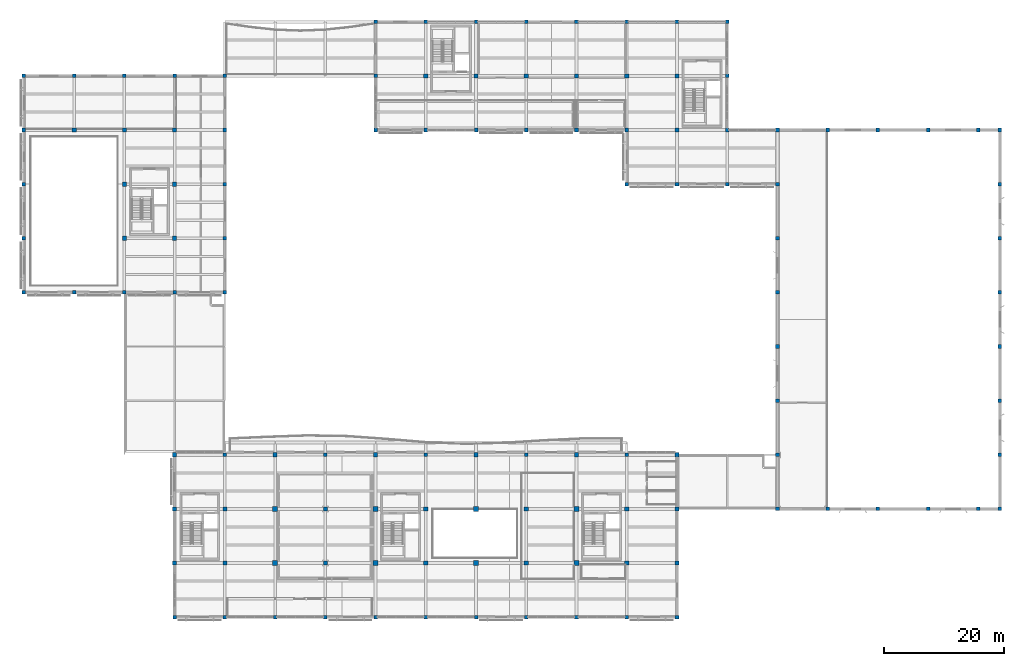
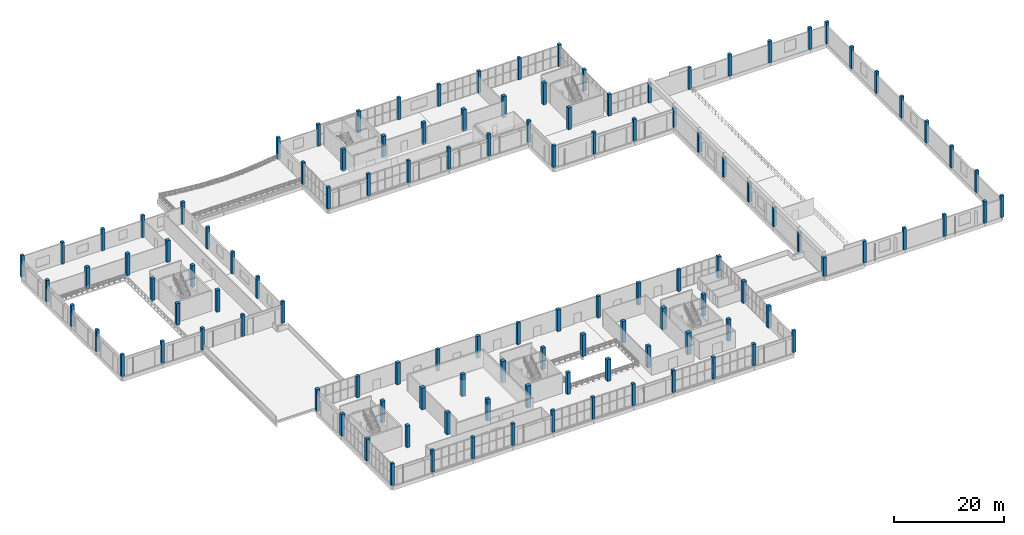
# One storey, part 1 of 80: 118 columns.
"""IFC4 building model written with IfcOpenShell, lengths in metres."""

from ifc_helpers import new_model, si_unit, direction, frame, origin, origin_2d, place, context, subcontext, project, spatial, rectangle, extrude, material, material_profile, profile_set, type_object, element, save


model = new_model("IFC4")

# Units and contexts
model_context = context("Model", 3, precision=1e-05, world=origin(), true_north=direction((0.0, 1.0)))
body_context = subcontext(model_context, "Body", "Model", "MODEL_VIEW")
ifc_project = project(units=[si_unit("LENGTHUNIT", "METRE"), si_unit("AREAUNIT", "SQUARE_METRE"), si_unit("VOLUMEUNIT", "CUBIC_METRE"), si_unit("PLANEANGLEUNIT", "RADIAN"), si_unit("MASSUNIT", "GRAM", prefix="KILO")], contexts=[model_context])

# Site, building, storey
site_placement = place(None, origin())
site = spatial("IfcSite", under=ifc_project, at=site_placement, CompositionType="ELEMENT")
building_placement = place(site_placement, origin())
building = spatial("IfcBuilding", under=site, at=building_placement, Name="Khurvash Pelagic Aquarium", CompositionType="ELEMENT")
storey_placement = place(building_placement, frame((0.0, 0.0, 10.800048828125)))
storey = spatial("IfcBuildingStorey", under=building, at=storey_placement, Name="L02", CompositionType="ELEMENT", Elevation=10.800048828125)

# Columns
ifc_material = material(Name="Concrete C40/50", Category="concrete")
ifc_material_profile_1 = material_profile(ifc_material, rectangle(XDim=0.800048828125, YDim=0.800048828125, at=origin_2d()), Name="RC800X800")
ifc_profile_set_1 = profile_set([ifc_material_profile_1], Name="Concrete C40/50")
column_type_1 = type_object("IfcColumnType", Name="C-02", PredefinedType="COLUMN", material=ifc_profile_set_1)
for number, where, z_axis, x_axis, name in (
    (1, (42.0, 11.64990234375, 0.0), (0.0, 0.0, 1.0), (1.0, 0.0, 0.0), "L02 Column C-02 at 6/C"),
    (2, (42.0, 20.699951171875, 0.0), (0.0, 0.0, 1.0), (1.0, 0.0, 0.0), "L02 Column C-02 at 6/D"),
    (3, (58.800048828125, 11.64990234375, 0.0), (0.0, 0.0, 1.0), (1.0, 0.0, 0.0), "L02 Column C-02 at 8/C"),
    (4, (58.800048828125, 20.699951171875, 0.0), (0.0, 0.0, 1.0), (1.0, 0.0, 0.0), "L02 Column C-02 at 8/D"),
    (5, (75.60009765625, 11.64990234375, 0.0), (0.0, 0.0, 1.0), (1.0, 0.0, 0.0), "L02 Column C-02 at 10/C"),
    (6, (75.60009765625, 20.699951171875, 0.0), (0.0, 0.0, 1.0), (1.0, 0.0, 0.0), "L02 Column C-02 at 10/D"),
    (7, (92.39990234375, 11.64990234375, 0.0), (0.0, 0.0, 1.0), (1.0, 0.0, 0.0), "L02 Column C-02 at 12/C"),
    (8, (92.39990234375, 20.699951171875, 0.0), (0.0, 0.0, 1.0), (1.0, 0.0, 0.0), "L02 Column C-02 at 12/D"),
):
    element("IfcColumn", number, at=place(storey_placement, frame(where, z_axis=z_axis, x_axis=x_axis)), inside=storey, type_object=column_type_1, Name=name, PredefinedType="COLUMN", context=body_context, shape_type="SweptSolid", body=[
        extrude(rectangle(XDim=0.800048828125, YDim=0.800048828125, at=origin_2d()), origin(), (0.0, 0.0, 1.0), 4.800048828125),
    ])
ifc_material_profile_2 = material_profile(ifc_material, rectangle(XDim=0.699951171875, YDim=0.699951171875, at=origin_2d()), Name="RC700X700")
ifc_profile_set_2 = profile_set([ifc_material_profile_2], Name="Concrete C40/50")
column_type_2 = type_object("IfcColumnType", Name="C-03", PredefinedType="COLUMN", material=ifc_profile_set_2)
for number, where, z_axis, x_axis, name in (
    (9, (8.39990234375, 84.050048828125, 0.0), (0.0, 0.0, 1.0), (1.0, 0.0, 0.0), "L02 Column C-03 at 2/L"),
    (10, (16.800048828125, 65.949951171875, 0.0), (0.0, 0.0, 1.0), (1.0, 0.0, 0.0), "L02 Column C-03 at 3/J"),
    (11, (16.800048828125, 75.0, 0.0), (0.0, 0.0, 1.0), (1.0, 0.0, 0.0), "L02 Column C-03 at 3/K"),
    (12, (16.800048828125, 84.050048828125, 0.0), (0.0, 0.0, 1.0), (1.0, 0.0, 0.0), "L02 Column C-03 at 3/L"),
    (13, (25.199951171875, 65.949951171875, 0.0), (0.0, 0.0, 1.0), (1.0, 0.0, 0.0), "L02 Column C-03 at 4/J"),
    (14, (25.199951171875, 75.0, 0.0), (0.0, 0.0, 1.0), (1.0, 0.0, 0.0), "L02 Column C-03 at 4/K"),
    (15, (25.199951171875, 84.050048828125, 0.0), (0.0, 0.0, 1.0), (1.0, 0.0, 0.0), "L02 Column C-03 at 4/L"),
    (16, (33.60009765625, 11.64990234375, 0.0), (0.0, 0.0, 1.0), (1.0, 0.0, 0.0), "L02 Column C-03 at 5/C"),
    (17, (33.60009765625, 20.699951171875, 0.0), (0.0, 0.0, 1.0), (1.0, 0.0, 0.0), "L02 Column C-03 at 5/D"),
    (18, (50.39990234375, 11.64990234375, 0.0), (0.0, 0.0, 1.0), (1.0, 0.0, 0.0), "L02 Column C-03 at 7/C"),
    (19, (50.39990234375, 20.699951171875, 0.0), (0.0, 0.0, 1.0), (1.0, 0.0, 0.0), "L02 Column C-03 at 7/D"),
    (20, (67.199951171875, 11.64990234375, 0.0), (0.0, 0.0, 1.0), (1.0, 0.0, 0.0), "L02 Column C-03 at 9/C"),
    (21, (67.199951171875, 20.699951171875, 0.0), (0.0, 0.0, 1.0), (1.0, 0.0, 0.0), "L02 Column C-03 at 9/D"),
    (22, (67.199951171875, 93.10009765625, 0.0), (0.0, 0.0, 1.0), (1.0, 0.0, 0.0), "L02 Column C-03 at 9/M"),
    (23, (75.60009765625, 93.10009765625, 0.0), (0.0, 0.0, 1.0), (1.0, 0.0, 0.0), "L02 Column C-03 at 10/M"),
    (24, (84.0, 11.64990234375, 0.0), (0.0, 0.0, 1.0), (1.0, 0.0, 0.0), "L02 Column C-03 at 11/C"),
    (25, (84.0, 20.699951171875, 0.0), (0.0, 0.0, 1.0), (1.0, 0.0, 0.0), "L02 Column C-03 at 11/D"),
    (26, (84.0, 93.10009765625, 0.0), (0.0, 0.0, 1.0), (1.0, 0.0, 0.0), "L02 Column C-03 at 11/M"),
    (27, (92.39990234375, 93.10009765625, 0.0), (0.0, 0.0, 1.0), (1.0, 0.0, 0.0), "L02 Column C-03 at 12/M"),
    (28, (100.800048828125, 11.64990234375, 0.0), (0.0, 0.0, 1.0), (1.0, 0.0, 0.0), "L02 Column C-03 at 13/C"),
    (29, (100.800048828125, 20.699951171875, 0.0), (0.0, 0.0, 1.0), (1.0, 0.0, 0.0), "L02 Column C-03 at 13/D"),
    (30, (100.800048828125, 93.10009765625, 0.0), (0.0, 0.0, 1.0), (1.0, 0.0, 0.0), "L02 Column C-03 at 13/M"),
    (31, (109.199951171875, 84.050048828125, 0.0), (0.0, 0.0, 1.0), (1.0, 0.0, 0.0), "L02 Column C-03 at 14/L"),
    (32, (109.199951171875, 93.10009765625, 0.0), (0.0, 0.0, 1.0), (1.0, 0.0, 0.0), "L02 Column C-03 at 14/M"),
):
    element("IfcColumn", number, at=place(storey_placement, frame(where, z_axis=z_axis, x_axis=x_axis)), inside=storey, type_object=column_type_2, Name=name, PredefinedType="COLUMN", context=body_context, shape_type="SweptSolid", body=[
        extrude(rectangle(XDim=0.699951171875, YDim=0.699951171875, at=origin_2d()), origin(), (0.0, 0.0, 1.0), 4.800048828125),
    ])
ifc_material_profile_3 = material_profile(ifc_material, rectangle(XDim=0.699951171875, YDim=0.699951171875, at=origin_2d()), Name="RC700X700")
ifc_profile_set_3 = profile_set([ifc_material_profile_3], Name="Concrete C40/50")
column_type_3 = type_object("IfcColumnType", Name="C-07", PredefinedType="COLUMN", material=ifc_profile_set_3)
for number, where, z_axis, x_axis, name in (
    (33, (25.199951171875, 11.64990234375, 0.0), (0.0, 0.0, 1.0), (1.0, 0.0, 0.0), "L02 Column C-07 at 4/C"),
    (34, (25.199951171875, 20.699951171875, 0.0), (0.0, 0.0, 1.0), (1.0, 0.0, 0.0), "L02 Column C-07 at 4/D"),
    (35, (25.199951171875, 29.75, 0.0), (0.0, 0.0, 1.0), (1.0, 0.0, 0.0), "L02 Column C-07 at 4/E"),
    (36, (42.0, 29.75, 0.0), (0.0, 0.0, 1.0), (1.0, 0.0, 0.0), "L02 Column C-07 at 6/E"),
    (37, (58.800048828125, 29.75, 0.0), (0.0, 0.0, 1.0), (1.0, 0.0, 0.0), "L02 Column C-07 at 8/E"),
    (38, (75.60009765625, 29.75, 0.0), (0.0, 0.0, 1.0), (1.0, 0.0, 0.0), "L02 Column C-07 at 10/E"),
    (39, (92.39990234375, 29.75, 0.0), (0.0, 0.0, 1.0), (1.0, 0.0, 0.0), "L02 Column C-07 at 12/E"),
    (40, (109.199951171875, 11.64990234375, 0.0), (0.0, 0.0, 1.0), (1.0, 0.0, 0.0), "L02 Column C-07 at 14/C"),
    (41, (109.199951171875, 20.699951171875, 0.0), (0.0, 0.0, 1.0), (1.0, 0.0, 0.0), "L02 Column C-07 at 14/D"),
    (42, (109.199951171875, 29.75, 0.0), (0.0, 0.0, 1.0), (1.0, 0.0, 0.0), "L02 Column C-07 at 14/E"),
):
    element("IfcColumn", number, at=place(storey_placement, frame(where, z_axis=z_axis, x_axis=x_axis)), inside=storey, type_object=column_type_3, Name=name, PredefinedType="COLUMN", context=body_context, shape_type="SweptSolid", body=[
        extrude(rectangle(XDim=0.699951171875, YDim=0.699951171875, at=origin_2d()), origin(), (0.0, 0.0, 1.0), 4.800048828125),
    ])
ifc_material_profile_4 = material_profile(ifc_material, rectangle(XDim=0.60009765625, YDim=0.60009765625, at=origin_2d()), Name="RC600X600")
ifc_profile_set_4 = profile_set([ifc_material_profile_4], Name="Concrete C40/50")
column_type_4 = type_object("IfcColumnType", Name="C-08", PredefinedType="COLUMN", material=ifc_profile_set_4)
for number, where, z_axis, x_axis, name in (
    (43, (0.0, 56.89990234375, 0.0), (0.0, 0.0, 1.0), (1.0, 0.0, 0.0), "L02 Column C-08 at 1/H"),
    (44, (0.0, 65.949951171875, 0.0), (0.0, 0.0, 1.0), (1.0, 0.0, 0.0), "L02 Column C-08 at 1/J"),
    (45, (0.0, 75.0, 0.0), (0.0, 0.0, 1.0), (1.0, 0.0, 0.0), "L02 Column C-08 at 1/K"),
    (46, (0.0, 84.050048828125, 0.0), (0.0, 0.0, 1.0), (1.0, 0.0, 0.0), "L02 Column C-08 at 1/L"),
    (47, (0.0, 93.10009765625, 0.0), (0.0, 0.0, 1.0), (1.0, 0.0, 0.0), "L02 Column C-08 at 1/M"),
    (48, (8.39990234375, 56.89990234375, 0.0), (0.0, 0.0, 1.0), (1.0, 0.0, 0.0), "L02 Column C-08 at 2/H"),
    (49, (8.39990234375, 93.10009765625, 0.0), (0.0, 0.0, 1.0), (1.0, 0.0, 0.0), "L02 Column C-08 at 2/M"),
    (50, (16.800048828125, 56.89990234375, 0.0), (0.0, 0.0, 1.0), (1.0, 0.0, 0.0), "L02 Column C-08 at 3/H"),
    (51, (16.800048828125, 93.10009765625, 0.0), (0.0, 0.0, 1.0), (1.0, 0.0, 0.0), "L02 Column C-08 at 3/M"),
    (52, (25.199951171875, 2.60009765625, 0.0), (0.0, 0.0, 1.0), (1.0, 0.0, 0.0), "L02 Column C-08 at 4/B"),
    (53, (25.199951171875, 56.89990234375, 0.0), (0.0, 0.0, 1.0), (1.0, 0.0, 0.0), "L02 Column C-08 at 4/H"),
    (54, (25.199951171875, 93.10009765625, 0.0), (0.0, 0.0, 1.0), (1.0, 0.0, 0.0), "L02 Column C-08 at 4/M"),
    (55, (33.60009765625, 2.60009765625, 0.0), (0.0, 0.0, 1.0), (1.0, 0.0, 0.0), "L02 Column C-08 at 5/B"),
    (56, (33.60009765625, 29.75, 0.0), (0.0, 0.0, 1.0), (1.0, 0.0, 0.0), "L02 Column C-08 at 5/E"),
    (57, (33.60009765625, 56.89990234375, 0.0), (0.0, 0.0, 1.0), (1.0, 0.0, 0.0), "L02 Column C-08 at 5/H"),
    (58, (33.60009765625, 65.949951171875, 0.0), (0.0, 0.0, 1.0), (1.0, 0.0, 0.0), "L02 Column C-08 at 5/J"),
    (59, (33.60009765625, 75.0, 0.0), (0.0, 0.0, 1.0), (1.0, 0.0, 0.0), "L02 Column C-08 at 5/K"),
    (60, (33.60009765625, 84.050048828125, 0.0), (0.0, 0.0, 1.0), (1.0, 0.0, 0.0), "L02 Column C-08 at 5/L"),
    (61, (33.60009765625, 93.10009765625, 0.0), (0.0, 0.0, 1.0), (1.0, 0.0, 0.0), "L02 Column C-08 at 5/M"),
    (62, (42.0, 2.60009765625, 0.0), (0.0, 0.0, 1.0), (1.0, 0.0, 0.0), "L02 Column C-08 at 6/B"),
    (63, (50.39990234375, 2.60009765625, 0.0), (0.0, 0.0, 1.0), (1.0, 0.0, 0.0), "L02 Column C-08 at 7/B"),
    (64, (50.39990234375, 29.75, 0.0), (0.0, 0.0, 1.0), (1.0, 0.0, 0.0), "L02 Column C-08 at 7/E"),
    (65, (58.800048828125, 2.60009765625, 0.0), (0.0, 0.0, 1.0), (1.0, 0.0, 0.0), "L02 Column C-08 at 8/B"),
    (66, (58.800048828125, 84.050048828125, 0.0), (0.0, 0.0, 1.0), (1.0, 0.0, 0.0), "L02 Column C-08 at 8/L"),
    (67, (58.800048828125, 93.10009765625, 0.0), (0.0, 0.0, 1.0), (1.0, 0.0, 0.0), "L02 Column C-08 at 8/M"),
    (68, (58.800048828125, 102.14990234375, 0.0), (0.0, 0.0, 1.0), (1.0, 0.0, 0.0), "L02 Column C-08 at 8/N"),
    (69, (67.199951171875, 2.60009765625, 0.0), (0.0, 0.0, 1.0), (1.0, 0.0, 0.0), "L02 Column C-08 at 9/B"),
    (70, (67.199951171875, 29.75, 0.0), (0.0, 0.0, 1.0), (1.0, 0.0, 0.0), "L02 Column C-08 at 9/E"),
    (71, (67.199951171875, 84.050048828125, 0.0), (0.0, 0.0, 1.0), (1.0, 0.0, 0.0), "L02 Column C-08 at 9/L"),
    (72, (67.199951171875, 102.14990234375, 0.0), (0.0, 0.0, 1.0), (1.0, 0.0, 0.0), "L02 Column C-08 at 9/N"),
    (73, (75.60009765625, 2.60009765625, 0.0), (0.0, 0.0, 1.0), (1.0, 0.0, 0.0), "L02 Column C-08 at 10/B"),
    (74, (75.60009765625, 84.050048828125, 0.0), (0.0, 0.0, 1.0), (1.0, 0.0, 0.0), "L02 Column C-08 at 10/L"),
    (75, (75.60009765625, 102.14990234375, 0.0), (0.0, 0.0, 1.0), (1.0, 0.0, 0.0), "L02 Column C-08 at 10/N"),
    (76, (84.0, 2.60009765625, 0.0), (0.0, 0.0, 1.0), (1.0, 0.0, 0.0), "L02 Column C-08 at 11/B"),
    (77, (84.0, 29.75, 0.0), (0.0, 0.0, 1.0), (1.0, 0.0, 0.0), "L02 Column C-08 at 11/E"),
    (78, (84.0, 84.050048828125, 0.0), (0.0, 0.0, 1.0), (1.0, 0.0, 0.0), "L02 Column C-08 at 11/L"),
    (79, (84.0, 102.14990234375, 0.0), (0.0, 0.0, 1.0), (1.0, 0.0, 0.0), "L02 Column C-08 at 11/N"),
    (80, (92.39990234375, 2.60009765625, 0.0), (0.0, 0.0, 1.0), (1.0, 0.0, 0.0), "L02 Column C-08 at 12/B"),
    (81, (92.39990234375, 84.050048828125, 0.0), (0.0, 0.0, 1.0), (1.0, 0.0, 0.0), "L02 Column C-08 at 12/L"),
    (82, (92.39990234375, 102.14990234375, 0.0), (0.0, 0.0, 1.0), (1.0, 0.0, 0.0), "L02 Column C-08 at 12/N"),
    (83, (100.800048828125, 2.60009765625, 0.0), (0.0, 0.0, 1.0), (1.0, 0.0, 0.0), "L02 Column C-08 at 13/B"),
    (84, (100.800048828125, 29.75, 0.0), (0.0, 0.0, 1.0), (1.0, 0.0, 0.0), "L02 Column C-08 at 13/E"),
    (85, (100.800048828125, 75.0, 0.0), (0.0, 0.0, 1.0), (1.0, 0.0, 0.0), "L02 Column C-08 at 13/K"),
    (86, (100.800048828125, 84.050048828125, 0.0), (0.0, 0.0, 1.0), (1.0, 0.0, 0.0), "L02 Column C-08 at 13/L"),
    (87, (100.800048828125, 102.14990234375, 0.0), (0.0, 0.0, 1.0), (1.0, 0.0, 0.0), "L02 Column C-08 at 13/N"),
    (88, (109.199951171875, 2.60009765625, 0.0), (0.0, 0.0, 1.0), (1.0, 0.0, 0.0), "L02 Column C-08 at 14/B"),
    (89, (109.199951171875, 75.0, 0.0), (0.0, 0.0, 1.0), (1.0, 0.0, 0.0), "L02 Column C-08 at 14/K"),
    (90, (109.199951171875, 102.14990234375, 0.0), (0.0, 0.0, 1.0), (1.0, 0.0, 0.0), "L02 Column C-08 at 14/N"),
    (91, (117.60009765625, 75.0, 0.0), (0.0, 0.0, 1.0), (1.0, 0.0, 0.0), "L02 Column C-08 at 15/K"),
    (92, (117.60009765625, 84.050048828125, 0.0), (0.0, 0.0, 1.0), (1.0, 0.0, 0.0), "L02 Column C-08 at 15/L"),
    (93, (117.60009765625, 93.10009765625, 0.0), (0.0, 0.0, 1.0), (1.0, 0.0, 0.0), "L02 Column C-08 at 15/M"),
    (94, (117.60009765625, 102.14990234375, 0.0), (0.0, 0.0, 1.0), (1.0, 0.0, 0.0), "L02 Column C-08 at 15/N"),
):
    element("IfcColumn", number, at=place(storey_placement, frame(where, z_axis=z_axis, x_axis=x_axis)), inside=storey, type_object=column_type_4, Name=name, PredefinedType="COLUMN", context=body_context, shape_type="SweptSolid", body=[
        extrude(rectangle(XDim=0.60009765625, YDim=0.60009765625, at=origin_2d()), origin(), (0.0, 0.0, 1.0), 4.800048828125),
    ])
for number, where, z_axis, x_axis, name in (
    (95, (126.0, 20.699951171875, 0.0), (0.0, 0.0, 1.0), (1.0, 0.0, 0.0), "L02 Column C-08 at 16/D"),
    (96, (126.0, 29.75, 0.0), (0.0, 0.0, 1.0), (1.0, 0.0, 0.0), "L02 Column C-08 at 16/E"),
    (97, (126.0, 38.800048828125, 0.0), (0.0, 0.0, 1.0), (1.0, 0.0, 0.0), "L02 Column C-08 at 16/F"),
    (98, (126.0, 47.85009765625, 0.0), (0.0, 0.0, 1.0), (1.0, 0.0, 0.0), "L02 Column C-08 at 16/G"),
    (99, (126.0, 56.89990234375, 0.0), (0.0, 0.0, 1.0), (1.0, 0.0, 0.0), "L02 Column C-08 at 16/H"),
    (100, (126.0, 65.949951171875, 0.0), (0.0, 0.0, 1.0), (1.0, 0.0, 0.0), "L02 Column C-08 at 16/J"),
    (101, (126.0, 75.0, 0.0), (0.0, 0.0, 1.0), (1.0, 0.0, 0.0), "L02 Column C-08 at 16/K"),
    (102, (126.0, 84.050048828125, 0.0), (0.0, 0.0, 1.0), (1.0, 0.0, 0.0), "L02 Column C-08 at 16/L"),
):
    element("IfcColumn", number, at=place(storey_placement, frame(where, z_axis=z_axis, x_axis=x_axis)), inside=storey, type_object=column_type_4, Name=name, PredefinedType="COLUMN", context=body_context, shape_type="SweptSolid", body=[
        extrude(rectangle(XDim=0.60009765625, YDim=0.60009765625, at=origin_2d()), origin(), (0.0, 0.0, 1.0), 4.199951171875),
    ])
for number, where, z_axis, x_axis, name in (
    (103, (134.39990234375, 20.699951171875, 0.0), (0.0, 0.0, 1.0), (1.0, 0.0, 0.0), "L02 Column C-08 at 17/D"),
    (104, (134.39990234375, 84.050048828125, 0.0), (0.0, 0.0, 1.0), (1.0, 0.0, 0.0), "L02 Column C-08 at 17/L"),
    (105, (142.800048828125, 20.699951171875, 0.0), (0.0, 0.0, 1.0), (1.0, 0.0, 0.0), "L02 Column C-08 at 18/D"),
    (106, (142.800048828125, 84.050048828125, 0.0), (0.0, 0.0, 1.0), (1.0, 0.0, 0.0), "L02 Column C-08 at 18/L"),
    (107, (151.199951171875, 20.699951171875, 0.0), (0.0, 0.0, 1.0), (1.0, 0.0, 0.0), "L02 Column C-08 at 19/D"),
    (108, (151.199951171875, 84.050048828125, 0.0), (0.0, 0.0, 1.0), (1.0, 0.0, 0.0), "L02 Column C-08 at 19/L"),
    (109, (159.60009765625, 20.699951171875, 0.0), (0.0, 0.0, 1.0), (1.0, 0.0, 0.0), "L02 Column C-08 at 20/D"),
    (110, (159.60009765625, 84.050048828125, 0.0), (0.0, 0.0, 1.0), (1.0, 0.0, 0.0), "L02 Column C-08 at 20/L"),
    (111, (163.199951171875, 20.699951171875, 0.0), (0.0, 0.0, 1.0), (1.0, 0.0, 0.0), "L02 Column C-08 at 21/D"),
    (112, (163.199951171875, 29.75, 0.0), (0.0, 0.0, 1.0), (1.0, 0.0, 0.0), "L02 Column C-08 at 21/E"),
    (113, (163.199951171875, 38.800048828125, 0.0), (0.0, 0.0, 1.0), (1.0, 0.0, 0.0), "L02 Column C-08 at 21/F"),
    (114, (163.199951171875, 47.85009765625, 0.0), (0.0, 0.0, 1.0), (1.0, 0.0, 0.0), "L02 Column C-08 at 21/G"),
    (115, (163.199951171875, 56.89990234375, 0.0), (0.0, 0.0, 1.0), (1.0, 0.0, 0.0), "L02 Column C-08 at 21/H"),
    (116, (163.199951171875, 65.949951171875, 0.0), (0.0, 0.0, 1.0), (1.0, 0.0, 0.0), "L02 Column C-08 at 21/J"),
    (117, (163.199951171875, 75.0, 0.0), (0.0, 0.0, 1.0), (1.0, 0.0, 0.0), "L02 Column C-08 at 21/K"),
    (118, (163.199951171875, 84.050048828125, 0.0), (0.0, 0.0, 1.0), (1.0, 0.0, 0.0), "L02 Column C-08 at 21/L"),
):
    element("IfcColumn", number, at=place(storey_placement, frame(where, z_axis=z_axis, x_axis=x_axis)), inside=storey, type_object=column_type_4, Name=name, PredefinedType="COLUMN", context=body_context, shape_type="SweptSolid", body=[
        extrude(rectangle(XDim=0.60009765625, YDim=0.60009765625, at=origin_2d()), origin(), (0.0, 0.0, 1.0), 4.800048828125),
    ])

save(model, "model.ifc")
